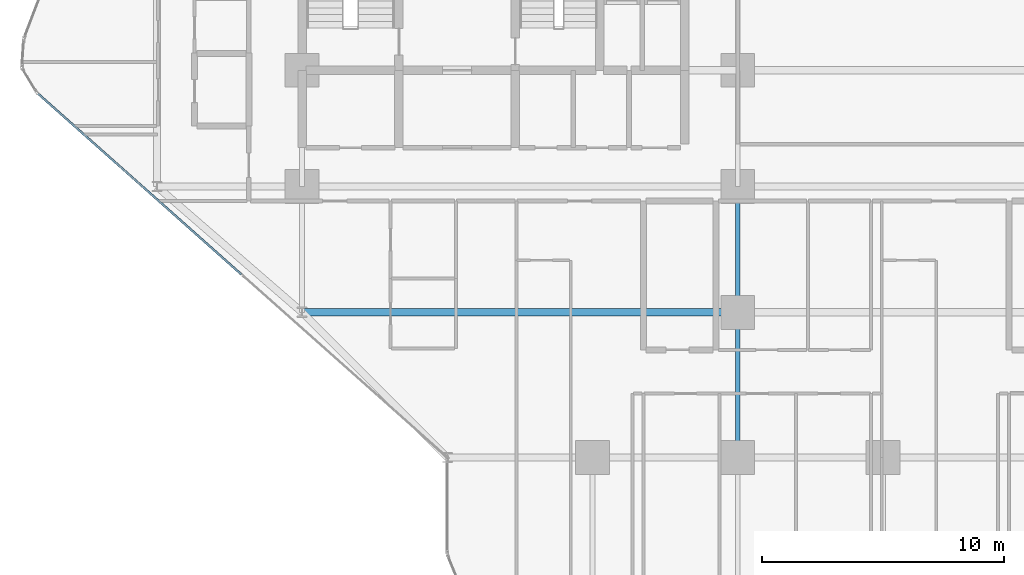
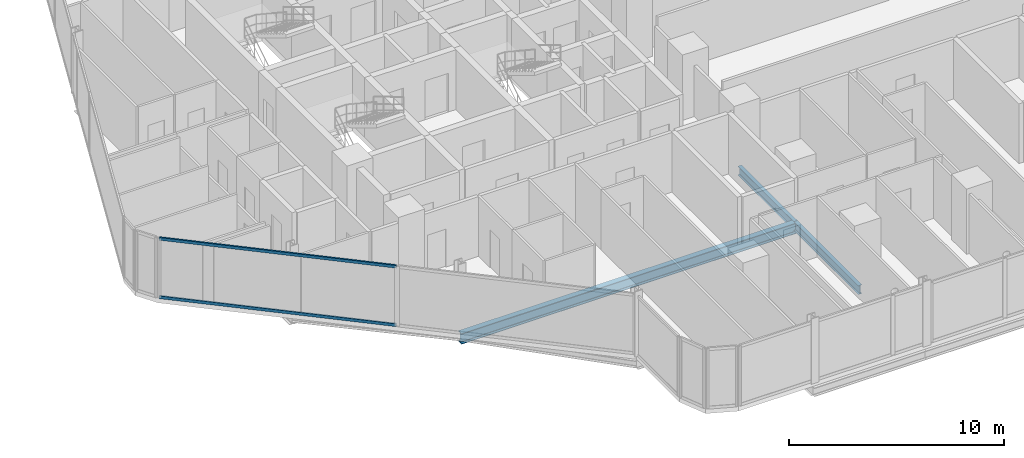
# One storey, part 4 of 33: 3 beams, 2 members, 1 element without a shape of its own.
"""IFC4 building model written with IfcOpenShell, lengths in metres."""

from ifc_helpers import new_model, si_unit, direction, frame, origin, origin_2d, place, context, subcontext, project, spatial, hollow_rectangle, i_section, extrude, material, layer, layer_set, material_profile, profile_set, type_object, element, aggregate, save


model = new_model("IFC4")

# Units and contexts
model_context = context("Model", 3, precision=1e-05, world=origin(), true_north=direction((0.0, 1.0)))
body_context = subcontext(model_context, "Body", "Model", "MODEL_VIEW")
ifc_project = project(units=[si_unit("LENGTHUNIT", "METRE"), si_unit("AREAUNIT", "SQUARE_METRE"), si_unit("VOLUMEUNIT", "CUBIC_METRE"), si_unit("PLANEANGLEUNIT", "RADIAN"), si_unit("MASSUNIT", "GRAM", prefix="KILO")], contexts=[model_context])

# Site, building, storey
site_placement = place(None, origin())
site = spatial("IfcSite", under=ifc_project, at=site_placement, CompositionType="ELEMENT")
building_placement = place(site_placement, origin())
building = spatial("IfcBuilding", under=site, at=building_placement, Name="Keshet Zoharim Tower", CompositionType="ELEMENT")
storey_placement = place(building_placement, frame((0.0, 0.0, 27.699951171875)))
storey = spatial("IfcBuildingStorey", under=building, at=storey_placement, Name="L05", CompositionType="ELEMENT", Elevation=27.699951171875)

# Beams
ifc_material_1 = material(Name="Steel S355", Category="steel")
ifc_material_profile_1 = material_profile(ifc_material_1, i_section(OverallWidth=0.300048828125, OverallDepth=0.60009765625, WebThickness=0.015380859375, FlangeThickness=0.030029296875, FilletRadius=0.027099609375, at=origin_2d()), Name="HEB600")
ifc_profile_set_1 = profile_set([ifc_material_profile_1], Name="Steel S355")
beam_type_1 = type_object("IfcBeamType", Name="BM-LNG-HB600", PredefinedType="BEAM", material=ifc_profile_set_1)
beam_1_placement = place(storey_placement, frame((15.0, 12.699951171875, -0.614990234375), z_axis=(1.0, 0.0, 0.0), x_axis=(0.0, 1.0, 0.0)))
element("IfcBeam", 1, at=beam_1_placement, inside=storey, type_object=beam_type_1, Name="L05 Primary Girder X-011", PredefinedType="BEAM", context=body_context, shape_type="SweptSolid", body=[
    extrude(i_section(OverallWidth=0.300048828125, OverallDepth=0.60009765625, WebThickness=0.015380859375, FlangeThickness=0.030029296875, FilletRadius=0.027099609375, at=origin_2d()), origin(), (0.0, 0.0, 1.0), 18.0),
])
ifc_material_profile_2 = material_profile(ifc_material_1, i_section(OverallWidth=0.199951171875, OverallDepth=0.5, WebThickness=0.01025390625, FlangeThickness=0.01611328125, FilletRadius=0.02099609375, at=origin_2d()), Name="IPE500")
ifc_profile_set_2 = profile_set([ifc_material_profile_2], Name="Steel S355")
beam_type_2 = type_object("IfcBeamType", Name="BM-PRI-IP500", PredefinedType="BEAM", material=ifc_profile_set_2)
beam_2_placement = place(storey_placement, frame((33.0, 6.699951171875, -0.56494140625), z_axis=(0.0, 1.0, 0.0), x_axis=(-1.0, 0.0, 0.0)))
element("IfcBeam", 2, at=beam_2_placement, inside=storey, type_object=beam_type_2, Name="L05 Primary Girder Y-006", PredefinedType="BEAM", context=body_context, shape_type="SweptSolid", body=[
    extrude(i_section(OverallWidth=0.199951171875, OverallDepth=0.5, WebThickness=0.01025390625, FlangeThickness=0.01611328125, FilletRadius=0.02099609375, at=origin_2d()), origin(), (0.0, 0.0, 1.0), 6.0),
])
beam_3_placement = place(storey_placement, frame((33.0, 12.699951171875, -0.56494140625), z_axis=(0.0, 1.0, 0.0), x_axis=(-1.0, 0.0, 0.0)))
element("IfcBeam", 3, at=beam_3_placement, inside=storey, type_object=beam_type_2, Name="L05 Primary Girder Y-007", PredefinedType="BEAM", context=body_context, shape_type="SweptSolid", body=[
    extrude(i_section(OverallWidth=0.199951171875, OverallDepth=0.5, WebThickness=0.01025390625, FlangeThickness=0.01611328125, FilletRadius=0.02099609375, at=origin_2d()), origin(), (0.0, 0.0, 1.0), 5.199951171875),
])

# Curtain wall, members
ifc_material_2 = material(Name="Aluminium 6063-T6", Category="aluminium")
ifc_layer = layer(ifc_material_2, 0.179931640625)
ifc_layer_set = layer_set([ifc_layer], Name="Aluminium 6063-T6")
curtain_wall_type = type_object("IfcCurtainWallType", Name="CW-SYS-01", PredefinedType="NOTDEFINED", material=ifc_layer_set)
curtain_wall_placement = place(storey_placement, origin())
curtain_wall = element("IfcCurtainWall", 4, at=curtain_wall_placement, inside=storey, type_object=curtain_wall_type, Name="L05 Unitised Curtain Wall 01", PredefinedType="NOTDEFINED")
ifc_material_profile_3 = material_profile(ifc_material_2, hollow_rectangle(XDim=0.0849609375, YDim=0.159912109375, WallThickness=0.00439453125, at=origin_2d()), Name="TRN-85x160")
ifc_profile_set_3 = profile_set([ifc_material_profile_3], Name="Aluminium 6063-T6")
member_type = type_object("IfcMemberType", Name="CWT-T16", PredefinedType="USERDEFINED", material=ifc_profile_set_3)
member_1_placement = place(storey_placement, frame((12.491455078125, 14.26318359375, 0.03515625), z_axis=(-0.747411714548, 0.664361143472, 0.0), x_axis=(-0.664361143472, -0.747411714548, 0.0)))
member_1 = element("IfcMember", 5, at=member_1_placement, type_object=member_type, Name="CW-01 transom 2.1", ObjectType="TRANSOM", PredefinedType="USERDEFINED", context=body_context, shape_type="SweptSolid", body=[
    extrude(hollow_rectangle(XDim=0.0849609375, YDim=0.159912109375, WallThickness=0.00439453125, at=origin_2d()), origin(), (0.0, 0.0, 1.0), 11.244140625),
])
member_2_placement = place(storey_placement, frame((12.491455078125, 14.26318359375, 3.35009765625), z_axis=(-0.747411714548, 0.664361143472, 0.0), x_axis=(-0.664361143472, -0.747411714548, 0.0)))
member_2 = element("IfcMember", 6, at=member_2_placement, type_object=member_type, Name="CW-01 transom 2.2", ObjectType="TRANSOM", PredefinedType="USERDEFINED", context=body_context, shape_type="SweptSolid", body=[
    extrude(hollow_rectangle(XDim=0.0849609375, YDim=0.159912109375, WallThickness=0.00439453125, at=origin_2d()), origin(), (0.0, 0.0, 1.0), 11.244140625),
])
aggregate(curtain_wall, [member_1, member_2])

save(model, "model.ifc")
